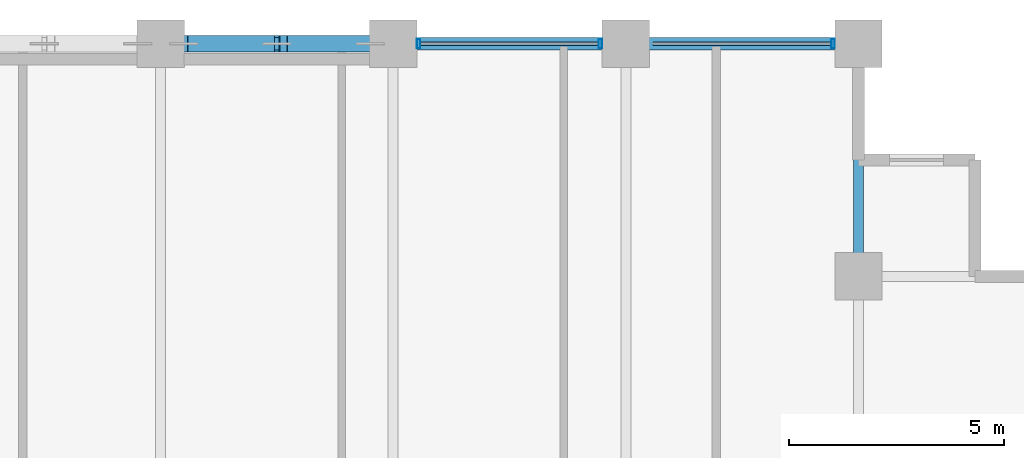
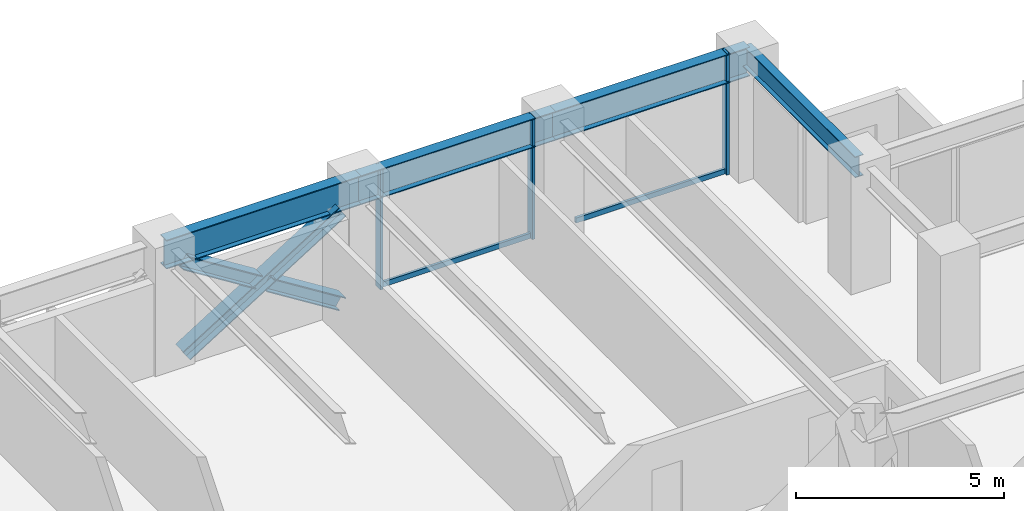
# One storey, part 16 of 25: 8 members, 4 beams, 1 element without a shape of its own.
"""IFC4 building model written with IfcOpenShell, lengths in metres."""

from ifc_helpers import new_model, si_unit, direction, frame, origin, origin_2d, place, context, subcontext, project, spatial, hollow_rectangle, i_section, extrude, material, layer, layer_set, material_profile, profile_set, type_object, element, aggregate, save


model = new_model("IFC4")

# Units and contexts
model_context = context("Model", 3, precision=1e-05, world=origin(), true_north=direction((0.0, 1.0)))
body_context = subcontext(model_context, "Body", "Model", "MODEL_VIEW")
ifc_project = project(units=[si_unit("LENGTHUNIT", "METRE"), si_unit("AREAUNIT", "SQUARE_METRE"), si_unit("VOLUMEUNIT", "CUBIC_METRE"), si_unit("PLANEANGLEUNIT", "RADIAN"), si_unit("MASSUNIT", "GRAM", prefix="KILO")], contexts=[model_context])

# Site, building, storey
site_placement = place(None, origin())
site = spatial("IfcSite", under=ifc_project, at=site_placement, CompositionType="ELEMENT")
building_placement = place(site_placement, origin())
building = spatial("IfcBuilding", under=site, at=building_placement, Name="Surkhivell Harbour Commons", CompositionType="ELEMENT")
storey_placement = place(building_placement, frame((0.0, 0.0, 113.25)))
storey = spatial("IfcBuildingStorey", under=building, at=storey_placement, Name="L29", CompositionType="ELEMENT", Elevation=113.25)

# Beams
ifc_material_1 = material(Name="Steel S355", Category="steel")
ifc_material_profile_1 = material_profile(ifc_material_1, i_section(OverallWidth=0.22998046875, OverallDepth=0.616943359375, WebThickness=0.01318359375, FlangeThickness=0.022216796875, at=origin_2d()), Name="UB610x229x140")
ifc_profile_set_1 = profile_set([ifc_material_profile_1], Name="Steel S355")
beam_type_1 = type_object("IfcBeamType", Name="BM-GRD-610B", PredefinedType="BEAM", material=ifc_profile_set_1)
beam_1_placement = place(storey_placement, frame((16.199951171875, 20.5, 3.261474609375), z_axis=(0.0, 1.0, 0.0), x_axis=(-1.0, 0.0, 0.0)))
element("IfcBeam", 1, at=beam_1_placement, inside=storey, type_object=beam_type_1, Name="L29 Floor Girder (16.2,20.5)", PredefinedType="BEAM", context=body_context, shape_type="SweptSolid", body=[
    extrude(i_section(OverallWidth=0.22998046875, OverallDepth=0.616943359375, WebThickness=0.01318359375, FlangeThickness=0.022216796875, at=origin_2d()), origin(), (0.0, 0.0, 1.0), 5.39990234375),
])
ifc_material_2 = material(Name="Steel S460", Category="steel")
ifc_material_profile_2 = material_profile(ifc_material_2, i_section(OverallWidth=0.2939453125, OverallDepth=0.85107421875, WebThickness=0.01611328125, FlangeThickness=0.02685546875, at=origin_2d()), Name="UB838x292x226")
ifc_profile_set_2 = profile_set([ifc_material_profile_2], Name="Steel S460")
beam_type_2 = type_object("IfcBeamType", Name="BM-SPN-838", PredefinedType="SPANDREL", material=ifc_profile_set_2)
beam_2_placement = place(storey_placement, frame((0.0, 25.89990234375, 3.14453125), z_axis=(1.0, 0.0, 0.0), x_axis=(0.0, 1.0, 0.0)))
element("IfcBeam", 2, at=beam_2_placement, inside=storey, type_object=beam_type_2, Name="L29 Tube Spandrel (-0.0,25.9)", PredefinedType="SPANDREL", context=body_context, shape_type="SweptSolid", body=[
    extrude(i_section(OverallWidth=0.2939453125, OverallDepth=0.85107421875, WebThickness=0.01611328125, FlangeThickness=0.02685546875, at=origin_2d()), origin(), (0.0, 0.0, 1.0), 5.39990234375),
])
beam_3_placement = place(storey_placement, frame((5.39990234375, 25.89990234375, 3.14453125), z_axis=(1.0, 0.0, 0.0), x_axis=(0.0, 1.0, 0.0)))
element("IfcBeam", 3, at=beam_3_placement, inside=storey, type_object=beam_type_2, Name="L29 Tube Spandrel (5.4,25.9)", PredefinedType="SPANDREL", context=body_context, shape_type="SweptSolid", body=[
    extrude(i_section(OverallWidth=0.2939453125, OverallDepth=0.85107421875, WebThickness=0.01611328125, FlangeThickness=0.02685546875, at=origin_2d()), origin(), (0.0, 0.0, 1.0), 5.400146484375),
])
beam_4_placement = place(storey_placement, frame((10.800048828125, 25.89990234375, 3.14453125), z_axis=(1.0, 0.0, 0.0), x_axis=(0.0, 1.0, 0.0)))
element("IfcBeam", 4, at=beam_4_placement, inside=storey, type_object=beam_type_2, Name="L29 Tube Spandrel (10.8,25.9)", PredefinedType="SPANDREL", context=body_context, shape_type="SweptSolid", body=[
    extrude(i_section(OverallWidth=0.2939453125, OverallDepth=0.85107421875, WebThickness=0.01611328125, FlangeThickness=0.02685546875, at=origin_2d()), origin(), (0.0, 0.0, 1.0), 5.39990234375),
])

# Curtain wall, members
ifc_material_3 = material(Name="Anodised pale-metal aluminium and insulated glazing", Category="aluminium")
ifc_layer = layer(ifc_material_3, 0.205078125)
ifc_layer_set = layer_set([ifc_layer], Name="Anodised pale-metal aluminium and insulated glazing")
curtain_wall_type = type_object("IfcCurtainWallType", Name="CW-SYS-Z2", PredefinedType="NOTDEFINED", material=ifc_layer_set)
curtain_wall_placement = place(storey_placement, origin())
curtain_wall = element("IfcCurtainWall", 5, at=curtain_wall_placement, inside=storey, type_object=curtain_wall_type, Name="L29 Curtain Wall CW-L29-E07S1", PredefinedType="NOTDEFINED")
ifc_material_4 = material(Name="Anodised pale-metal aluminium alloy 6063-T6", Category="aluminium")
ifc_material_profile_3 = material_profile(ifc_material_4, hollow_rectangle(XDim=0.074951171875, YDim=0.219970703125, WallThickness=0.00390625, at=origin_2d()), Name="ALU-MULL-75x220")
ifc_profile_set_3 = profile_set([ifc_material_profile_3], Name="Anodised pale-metal aluminium alloy 6063-T6")
member_type_1 = type_object("IfcMemberType", Name="CWM-220", PredefinedType="MULLION", material=ifc_profile_set_3)
member_1_placement = place(storey_placement, frame((15.610595703125, 25.89990234375, 0.0), z_axis=(0.0, 0.0, 1.0), x_axis=(-1.0, 0.0, 0.0)))
member_1 = element("IfcMember", 6, at=member_1_placement, type_object=member_type_1, Name="CW-Z2 mullion 1", PredefinedType="MULLION", context=body_context, shape_type="SweptSolid", body=[
    extrude(hollow_rectangle(XDim=0.074951171875, YDim=0.219970703125, WallThickness=0.00390625, at=origin_2d()), origin(), (0.0, 0.0, 1.0), 3.570068359375),
])
member_2_placement = place(storey_placement, frame((10.21044921875, 25.89990234375, 0.0), z_axis=(0.0, 0.0, 1.0), x_axis=(-1.0, 0.0, 0.0)))
member_2 = element("IfcMember", 7, at=member_2_placement, type_object=member_type_1, Name="CW-Z2 mullion 2", PredefinedType="MULLION", context=body_context, shape_type="SweptSolid", body=[
    extrude(hollow_rectangle(XDim=0.074951171875, YDim=0.219970703125, WallThickness=0.00390625, at=origin_2d()), origin(), (0.0, 0.0, 1.0), 3.570068359375),
])
member_3_placement = place(storey_placement, frame((5.989501953125, 25.89990234375, 0.0), z_axis=(0.0, 0.0, 1.0), x_axis=(-1.0, 0.0, 0.0)))
member_3 = element("IfcMember", 8, at=member_3_placement, type_object=member_type_1, Name="CW-Z2 mullion 3", PredefinedType="MULLION", context=body_context, shape_type="SweptSolid", body=[
    extrude(hollow_rectangle(XDim=0.074951171875, YDim=0.219970703125, WallThickness=0.00390625, at=origin_2d()), origin(), (0.0, 0.0, 1.0), 3.570068359375),
])
ifc_material_profile_4 = material_profile(ifc_material_4, hollow_rectangle(XDim=0.074951171875, YDim=0.14990234375, WallThickness=0.00341796875, at=origin_2d()), Name="ALU-TRAN-75x150")
ifc_profile_set_4 = profile_set([ifc_material_profile_4], Name="Anodised pale-metal aluminium alloy 6063-T6")
member_type_2 = type_object("IfcMemberType", Name="CWT-150", PredefinedType="USERDEFINED", material=ifc_profile_set_4)
member_4_placement = place(storey_placement, frame((15.572998046875, 25.89990234375, 0.074951171875), z_axis=(-1.0, 0.0, 0.0), x_axis=(0.0, -1.0, 0.0)))
member_4 = element("IfcMember", 9, at=member_4_placement, type_object=member_type_2, Name="CW-Z2 transom 1.1", ObjectType="TRANSOM", PredefinedType="USERDEFINED", context=body_context, shape_type="SweptSolid", body=[
    extrude(hollow_rectangle(XDim=0.074951171875, YDim=0.14990234375, WallThickness=0.00341796875, at=origin_2d()), origin(), (0.0, 0.0, 1.0), 4.14599609375),
])
member_5_placement = place(storey_placement, frame((10.173095703125, 25.89990234375, 0.074951171875), z_axis=(-1.0, 0.0, 0.0), x_axis=(0.0, -1.0, 0.0)))
member_5 = element("IfcMember", 10, at=member_5_placement, type_object=member_type_2, Name="CW-Z2 transom 2.1", ObjectType="TRANSOM", PredefinedType="USERDEFINED", context=body_context, shape_type="SweptSolid", body=[
    extrude(hollow_rectangle(XDim=0.074951171875, YDim=0.14990234375, WallThickness=0.00341796875, at=origin_2d()), origin(), (0.0, 0.0, 1.0), 4.14599609375),
])
aggregate(curtain_wall, [member_1, member_4, member_2, member_3, member_5])

# Members
ifc_material_profile_5 = material_profile(ifc_material_2, i_section(OverallWidth=0.375, OverallDepth=0.375, WebThickness=0.0166015625, FlangeThickness=0.027099609375, at=origin_2d()), Name="UC356x368x202")
ifc_profile_set_5 = profile_set([ifc_material_profile_5], Name="Steel S460")
member_type_3 = type_object("IfcMemberType", Name="MEM-BRC-UC356", PredefinedType="BRACE", material=ifc_profile_set_5)
member_6_placement = place(storey_placement, frame((0.534912109375, 25.89990234375, 0.008056640625), z_axis=(0.847246015888, 0.0, 0.531200704594), x_axis=(0.0, 1.0, 0.0)))
element("IfcMember", 11, at=member_6_placement, inside=storey, type_object=member_type_3, Name="L29 Perimeter Mega-Brace MB- 04", PredefinedType="BRACE", context=body_context, shape_type="SweptSolid", body=[
    extrude(i_section(OverallWidth=0.375, OverallDepth=0.375, WebThickness=0.0166015625, FlangeThickness=0.027099609375, at=origin_2d()), origin(), (0.0, 0.0, 1.0), 5.11083984375),
])
for number, where, z_axis, x_axis, name in (
    (12, (4.864990234375, 25.89990234375, 0.008056640625), (-0.847206308526, 0.0, 0.53126403115), (0.0, -1.0, 0.0), "L29 Perimeter Mega-Brace MB- 05"),
    (13, (2.547607421875, 25.89990234375, 1.461181640625), (-0.847281565812, 0.0, 0.531143999529), (0.0, -1.0, 0.0), "L29 Perimeter Mega-Brace MB- 06"),
):
    element("IfcMember", number, at=place(storey_placement, frame(where, z_axis=z_axis, x_axis=x_axis)), inside=storey, type_object=member_type_3, Name=name, PredefinedType="BRACE", context=body_context, shape_type="SweptSolid", body=[
        extrude(i_section(OverallWidth=0.375, OverallDepth=0.375, WebThickness=0.0166015625, FlangeThickness=0.027099609375, at=origin_2d()), origin(), (0.0, 0.0, 1.0), 2.37548828125),
    ])

save(model, "model.ifc")
